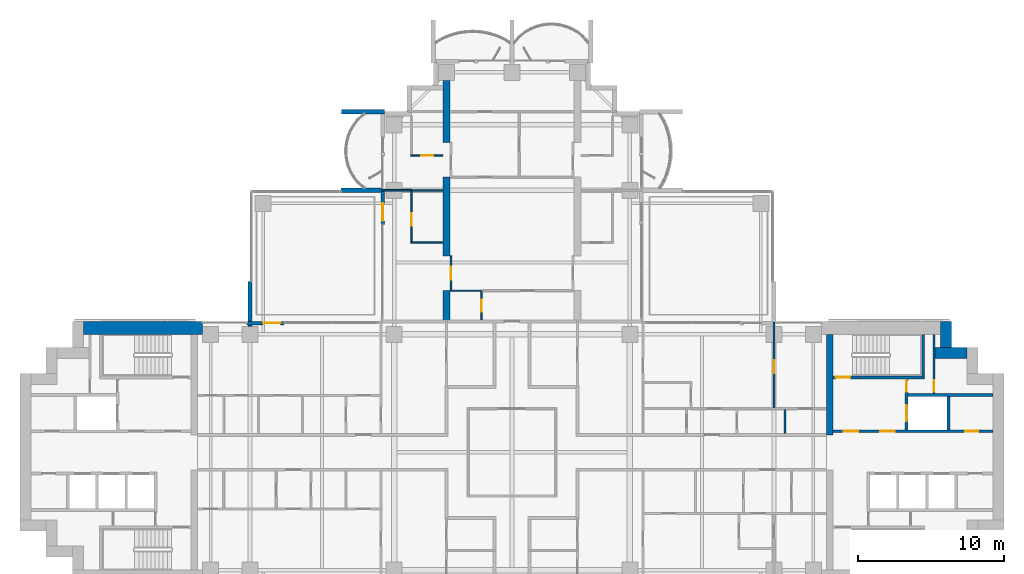
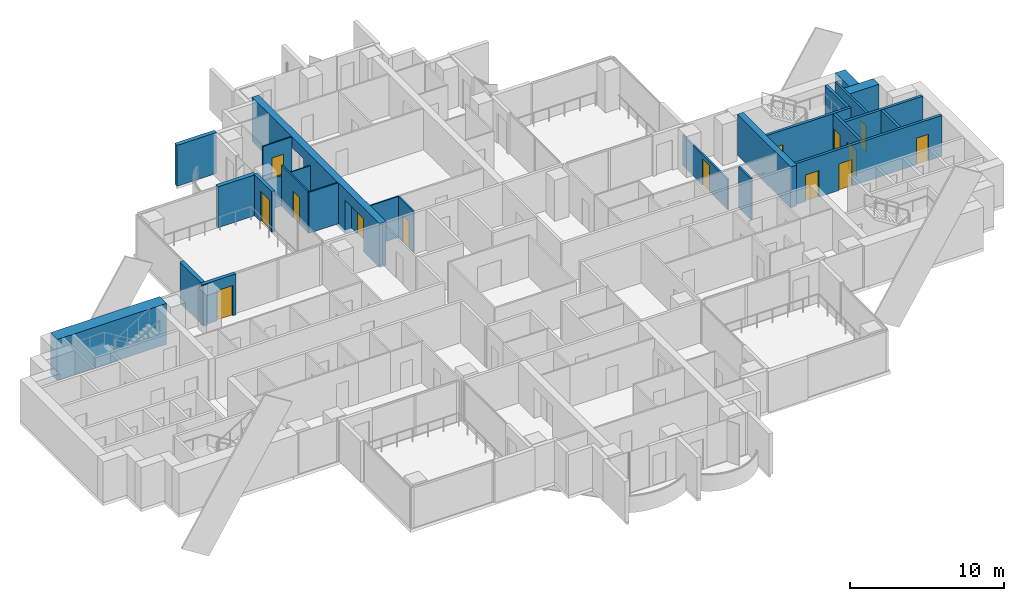
# One storey, part 13 of 19: 27 walls, 14 doors, 14 openings.
"""IFC4 building model written with IfcOpenShell, lengths in metres."""

import ifcopenshell
import ifcopenshell.guid

model = None  # the IFC model being written
_history = None  # IfcOwnerHistory: only IFC2X3 demands one
_inside = {}  # id of a spatial element -> (the spatial element, [elements in it])
_under = {}  # id of a project, library or spatial element -> (it, [spatial elements below it])
_declared = {}  # id of a project -> (the project, [libraries it declares])
_typed = {}  # id of a type object -> (the type object, [elements of that type])
_made_of = {}  # id of a material, layer set ... -> (it, [elements and type objects made of it])


def new_model(schema):
    """Start an empty IFC model of exactly this schema.

    Asked for "IFC4X3", IfcOpenShell would pick the latest addendum, in which some entities
    have other attributes; the version numbers below select the first issue.
    IFC2X3 requires an IfcOwnerHistory on every rooted entity: one is made here for all.
    """
    global model, _history
    if schema == "IFC4X3":
        model = ifcopenshell.file(schema_version=(4, 3, 0, 0))
    else:
        model = ifcopenshell.file(schema=schema)
    _inside.clear()
    _under.clear()
    _declared.clear()
    _typed.clear()
    _made_of.clear()
    _history = None
    if model.schema == "IFC2X3":
        org = make("IfcOrganization", Name="unknown")
        user = make(
            "IfcPersonAndOrganization",
            ThePerson=make("IfcPerson", FamilyName="unknown"),
            TheOrganization=org,
        )
        app = make(
            "IfcApplication",
            ApplicationDeveloper=org,
            Version="unknown",
            ApplicationFullName="unknown",
            ApplicationIdentifier="unknown",
        )
        _history = make(
            "IfcOwnerHistory",
            OwningUser=user,
            OwningApplication=app,
            ChangeAction="ADDED",
            CreationDate=0,
        )
    return model


def make(cls, **values):
    """One entity of the class cls with the attributes given. An attribute that is None is left unset."""
    return model.create_entity(
        cls, **{name: value for name, value in values.items() if value is not None}
    )


def rooted(cls, **values):
    """An entity with a GlobalId (a new one), such as an element, a storey or a relation."""
    return make(cls, GlobalId=ifcopenshell.guid.new(), OwnerHistory=_history, **values)


def si_unit(unit_type, name, prefix=None):
    """IfcSIUnit, for example si_unit("LENGTHUNIT", "METRE", prefix="MILLI")."""
    return make("IfcSIUnit", UnitType=unit_type, Prefix=prefix, Name=name)


def assignment(units):
    """IfcUnitAssignment: the units of a project."""
    return None if units is None else make("IfcUnitAssignment", Units=units)


def point(xyz):
    """IfcCartesianPoint."""
    return None if xyz is None else make("IfcCartesianPoint", Coordinates=xyz)


def direction(xyz):
    """IfcDirection."""
    return None if xyz is None else make("IfcDirection", DirectionRatios=xyz)


def frame(location, z_axis=None, x_axis=None):
    """IfcAxis2Placement3D, a coordinate frame: its origin and axes. An axis left out is left unset."""
    return make(
        "IfcAxis2Placement3D",
        Location=point(location),
        Axis=direction(z_axis),
        RefDirection=direction(x_axis),
    )


def frame_2d(location, x_axis=None):
    """IfcAxis2Placement2D, a coordinate frame in the plane: its origin and x axis."""
    return make(
        "IfcAxis2Placement2D", Location=point(location), RefDirection=direction(x_axis)
    )


def origin():
    """The frame at (0, 0, 0) with its axes left unset."""
    return frame((0.0, 0.0, 0.0))


def place(relative_to, where):
    """IfcLocalPlacement: puts the frame where relative to a parent placement (None: the world)."""
    return make(
        "IfcLocalPlacement", PlacementRelTo=relative_to, RelativePlacement=where
    )


def context(
    kind, dimensions, precision=None, world=None, true_north=None, identifier=None
):
    """IfcGeometricRepresentationContext, for example the 3D "Model" context."""
    return make(
        "IfcGeometricRepresentationContext",
        ContextIdentifier=identifier,
        ContextType=kind,
        CoordinateSpaceDimension=dimensions,
        Precision=precision,
        WorldCoordinateSystem=world,
        TrueNorth=true_north,
    )


def subcontext(parent, identifier, kind, view, scale=None):
    """IfcGeometricRepresentationSubContext, for example "Body" below "Model"."""
    return make(
        "IfcGeometricRepresentationSubContext",
        ContextIdentifier=identifier,
        ContextType=kind,
        ParentContext=parent,
        TargetScale=scale,
        TargetView=view,
    )


def project(units=None, contexts=None):
    """IfcProject with its units and contexts."""
    return rooted(
        "IfcProject",
        Name="project",
        RepresentationContexts=contexts,
        UnitsInContext=assignment(units),
    )


def spatial(cls, under=None, at=None, **own):
    """A site, building, storey or space (cls), placed at a placement, below another one or the project."""
    s = rooted(cls, ObjectPlacement=at, **own)
    if under is not None:
        _under.setdefault(under.id(), (under, []))[1].append(s)
    return s


def polyline(points):
    """IfcPolyline through the points."""
    return make("IfcPolyline", Points=[point(p) for p in points])


def profile(cls, at=None, kind="AREA", **sizes):
    """A parametric profile (cls). Its sizes go by their IFC names, for example OverallWidth=200.0."""
    return make(cls, ProfileType=kind, Position=at, **sizes)


def rectangle(**sizes):
    """IfcRectangleProfileDef."""
    return profile("IfcRectangleProfileDef", **sizes)


def outline(outer, holes=None, kind="AREA"):
    """IfcArbitraryClosedProfileDef: a profile drawn as a closed curve; with holes, ...WithVoids."""
    if holes is None:
        return make("IfcArbitraryClosedProfileDef", ProfileType=kind, OuterCurve=outer)
    return make(
        "IfcArbitraryProfileDefWithVoids",
        ProfileType=kind,
        OuterCurve=outer,
        InnerCurves=holes,
    )


def extrude(swept, where, along, depth):
    """IfcExtrudedAreaSolid: the profile swept, set in the frame where, extruded along a direction by depth."""
    return make(
        "IfcExtrudedAreaSolid",
        SweptArea=swept,
        Position=where,
        ExtrudedDirection=direction(along),
        Depth=depth,
    )


def shape(context_of_items, identifier, shape_type, items):
    """IfcShapeRepresentation: the items that make up one representation, for example the "Body"."""
    return make(
        "IfcShapeRepresentation",
        ContextOfItems=context_of_items,
        RepresentationIdentifier=identifier,
        RepresentationType=shape_type,
        Items=items,
    )


def material(Name=None, Category=None):
    """IfcMaterial."""
    return make("IfcMaterial", Name=Name, Category=Category)


def layer(
    of_material, thickness, ventilated=None, Name=None, Category=None, Priority=None
):
    """IfcMaterialLayer: one layer of a wall or slab, of a material (None: an air gap)."""
    return make(
        "IfcMaterialLayer",
        Material=of_material,
        LayerThickness=thickness,
        IsVentilated=ventilated,
        Name=Name,
        Category=Category,
        Priority=Priority,
    )


def layer_set(layers, Name=None):
    """IfcMaterialLayerSet."""
    return make("IfcMaterialLayerSet", MaterialLayers=layers, LayerSetName=Name)


def material_profile(
    of_material, cross_section, Name=None, Category=None, Priority=None
):
    """IfcMaterialProfile: a cross section and its material."""
    return make(
        "IfcMaterialProfile",
        Name=Name,
        Material=of_material,
        Profile=cross_section,
        Priority=Priority,
        Category=Category,
    )


def profile_set(profiles, Name=None, composite=None):
    """IfcMaterialProfileSet."""
    return make(
        "IfcMaterialProfileSet",
        Name=Name,
        MaterialProfiles=profiles,
        CompositeProfile=composite,
    )


def made_of(thing, what):
    """Note that an element or type object is made of a material, layer set ...; save() writes the relation."""
    if what is not None:
        _made_of.setdefault(what.id(), (what, []))[1].append(thing)
    return thing


def type_object(cls, material=None, **own):
    """A type object (cls), such as IfcWallType, which elements share."""
    return made_of(rooted(cls, **own), material)


def element(
    cls,
    number,
    at=None,
    inside=None,
    cuts=None,
    type_object=None,
    material=None,
    context=None,
    identifier="Body",
    shape_type=None,
    held_by="IfcProductDefinitionShape",
    body=None,
    shapes=None,
    **own,
):
    """One element of the class cls, such as IfcWall. Its Tag is "e" and its number.

    at: its placement. inside: the storey or other place that contains it. cuts: it is an
    opening in that element (IfcRelVoidsElement). A single representation is given by context,
    identifier, shape_type and body (its items); several are given by shapes. held_by: the class
    of the entity that holds the representations. save() writes the other relations.
    """
    e = rooted(cls, Tag="e%d" % number, ObjectPlacement=at, **own)
    if body is not None:
        shapes = [shape(context, identifier, shape_type, body)]
    if shapes is not None:
        e.Representation = make(held_by, Representations=shapes)
    if inside is not None:
        _inside.setdefault(inside.id(), (inside, []))[1].append(e)
    if cuts is not None:
        rooted(
            "IfcRelVoidsElement", RelatingBuildingElement=cuts, RelatedOpeningElement=e
        )
    if type_object is not None:
        _typed.setdefault(type_object.id(), (type_object, []))[1].append(e)
    return made_of(e, material)


def fill(opening, filler):
    """IfcRelFillsElement: the door or window that sits in an opening."""
    return rooted(
        "IfcRelFillsElement",
        RelatingOpeningElement=opening,
        RelatedBuildingElement=filler,
    )


def aggregate(whole, parts):
    """IfcRelAggregates: a whole, such as a stair, and the parts it consists of."""
    return rooted("IfcRelAggregates", RelatingObject=whole, RelatedObjects=parts)


def save(model, path):
    """Write the relations noted so far, then the file.

    IfcRelAggregates (storeys below a building ...), IfcRelContainedInSpatialStructure (elements
    in a storey), IfcRelDefinesByType, IfcRelAssociatesMaterial and IfcRelDeclares: one each for
    every whole, place, type object, material and project.
    """
    for whole, parts in _under.values():
        aggregate(whole, parts)
    for where, things in _inside.values():
        rooted(
            "IfcRelContainedInSpatialStructure",
            RelatedElements=things,
            RelatingStructure=where,
        )
    for kind, things in _typed.values():
        rooted("IfcRelDefinesByType", RelatedObjects=things, RelatingType=kind)
    for what, things in _made_of.values():
        rooted("IfcRelAssociatesMaterial", RelatedObjects=things, RelatingMaterial=what)
    for by, libraries in _declared.values():
        rooted("IfcRelDeclares", RelatingContext=by, RelatedDefinitions=libraries)
    model.write(path)


model = new_model("IFC4")

# Units and contexts
model_context = context("Model", 3, precision=1e-05, world=origin(), true_north=direction((0.0, 1.0)))
body_context = subcontext(model_context, "Body", "Model", "MODEL_VIEW")
ifc_project = project(units=[si_unit("LENGTHUNIT", "METRE"), si_unit("AREAUNIT", "SQUARE_METRE"), si_unit("VOLUMEUNIT", "CUBIC_METRE"), si_unit("PLANEANGLEUNIT", "RADIAN"), si_unit("MASSUNIT", "GRAM", prefix="KILO")], contexts=[model_context])

# Site, building, storey
site_placement = place(None, origin())
site = spatial("IfcSite", under=ifc_project, at=site_placement, CompositionType="ELEMENT")
building_placement = place(site_placement, origin())
building = spatial("IfcBuilding", under=site, at=building_placement, Name="Perihelion Cross Residences", CompositionType="ELEMENT")
storey_placement = place(building_placement, frame((0.0, 0.0, 147.89990234375)))
storey = spatial("IfcBuildingStorey", under=building, at=storey_placement, Name="L36", CompositionType="ELEMENT", Elevation=147.89990234375)

# Wall, opening, door
ifc_material_1 = material(Name="Concrete C30/37, bronze-clad", Category="concrete")
ifc_layer_1 = layer(ifc_material_1, 0.25)
ifc_layer_set_1 = layer_set([ifc_layer_1], Name="Bronze-clad pier wall 250")
wall_type_1 = type_object("IfcWallType", Name="Bronze-clad pier wall 250", PredefinedType="SOLIDWALL", material=ifc_layer_set_1)
wall_1_placement = place(storey_placement, frame((-8.875, 17.93994140625, 0.0), z_axis=(0.0, 0.0, 1.0), x_axis=(0.0, -1.0, 0.0)))
wall_1 = element("IfcWall", 1, at=wall_1_placement, inside=storey, type_object=wall_type_1, Name="Wall FW1 L36 north side west bay 2 pier", PredefinedType="SOLIDWALL", context=body_context, shape_type="SweptSolid", body=[
    extrude(rectangle(XDim=2.2900390625, YDim=0.25, at=frame_2d((1.14501953125, 0.0))), origin(), (0.0, 0.0, 1.0), 3.25),
])
opening_1_placement = place(wall_1_placement, frame((0.840087890625, 0.0, 0.0)))
opening_1 = element("IfcOpeningElement", 2, at=opening_1_placement, cuts=wall_1, Name="Opening L36.E07", PredefinedType="OPENING", context=body_context, shape_type="SweptSolid", body=[
    extrude(rectangle(XDim=1.199951171875, YDim=2.39990234375, at=frame_2d((0.60009765625, 1.199951171875))), frame((0.0, 0.135009765625, 0.0), z_axis=(0.0, -1.0, 0.0), x_axis=(1.0, 0.0, 0.0)), (0.0, 0.0, 1.0), 0.27001953125),
])
ifc_material_2 = material(Name="Bronze anodised aluminium, glazed", Category="aluminium")
door_type_1 = type_object("IfcDoorType", Name="Balcony door 1200 x 2400", OperationType="NOTDEFINED", PredefinedType="DOOR", material=ifc_material_2)
door_1_placement = place(opening_1_placement, origin())
door_1 = element("IfcDoor", 3, at=door_1_placement, inside=storey, type_object=door_type_1, Name="Door L36.E07 north side west bay 2", OperationType="SINGLE_SWING_RIGHT", OverallHeight=2.39990234375, OverallWidth=1.199951171875, PredefinedType="DOOR", context=body_context, shape_type="SweptSolid", body=[
    extrude(rectangle(XDim=1.199951171875, YDim=2.39990234375, at=frame_2d((0.60009765625, 1.199951171875))), frame((0.0, 0.02490234375, 0.0), z_axis=(0.0, -1.0, 0.0), x_axis=(1.0, 0.0, 0.0)), (0.0, 0.0, 1.0), 0.050048828125),
])
fill(opening_1, door_1)

wall_2_placement = place(storey_placement, frame((-15.64990234375, 8.875, 0.0), z_axis=(0.0, 0.0, 1.0), x_axis=(-1.0, 0.0, 0.0)))
wall_2 = element("IfcWall", 4, at=wall_2_placement, inside=storey, type_object=wall_type_1, Name="Wall FW1 L36 west side north bay 1 pier", PredefinedType="SOLIDWALL", context=body_context, shape_type="SweptSolid", body=[
    extrude(rectangle(XDim=2.550048828125, YDim=0.25, at=frame_2d((1.27490234375, 0.0))), origin(), (0.0, 0.0, 1.0), 3.25),
])
opening_2_placement = place(wall_2_placement, frame((0.25, 0.0, 0.0)))
opening_2 = element("IfcOpeningElement", 5, at=opening_2_placement, cuts=wall_2, Name="Opening L36.E08", PredefinedType="OPENING", context=body_context, shape_type="SweptSolid", body=[
    extrude(rectangle(XDim=1.199951171875, YDim=2.39990234375, at=frame_2d((0.60009765625, 1.199951171875))), frame((0.0, 0.135009765625, 0.0), z_axis=(0.0, -1.0, 0.0), x_axis=(1.0, 0.0, 0.0)), (0.0, 0.0, 1.0), 0.27001953125),
])
door_2_placement = place(opening_2_placement, origin())
door_2 = element("IfcDoor", 6, at=door_2_placement, inside=storey, type_object=door_type_1, Name="Door L36.E08 west side north bay 1", OperationType="SINGLE_SWING_LEFT", OverallHeight=2.39990234375, OverallWidth=1.199951171875, PredefinedType="DOOR", context=body_context, shape_type="SweptSolid", body=[
    extrude(rectangle(XDim=1.199951171875, YDim=2.39990234375, at=frame_2d((0.60009765625, 1.199951171875))), frame((0.0, 0.02490234375, 0.0), z_axis=(0.0, -1.0, 0.0), x_axis=(1.0, 0.0, 0.0)), (0.0, 0.0, 1.0), 0.050048828125),
])
fill(opening_2, door_2)

# Walls
ifc_material_3 = material(Name="Concrete C60/75", Category="concrete")
ifc_layer_2 = layer(ifc_material_3, 0.449951171875)
ifc_layer_set_2 = layer_set([ifc_layer_2], Name="Core wall, inner 450")
wall_type_2 = type_object("IfcWallType", Name="Core wall, inner 450", PredefinedType="SHEAR", material=ifc_layer_set_2)
wall_3_placement = place(storey_placement, frame((21.824951171875, 1.199951171875, 0.0), z_axis=(0.0, 0.0, 1.0), x_axis=(0.0, 1.0, 0.0)))
element("IfcWall", 7, at=wall_3_placement, inside=storey, type_object=wall_type_2, Name="East core core wall, inner", PredefinedType="SHEAR", context=body_context, shape_type="SweptSolid", body=[
    extrude(rectangle(XDim=6.900146484375, YDim=0.449951171875, at=frame_2d((3.4501953125, 0.0))), origin(), (0.0, 0.0, 1.0), 3.25),
])
ifc_material_4 = material(Name="Concrete C60/75", Category="concrete")
ifc_layer_3 = layer(ifc_material_4, 0.75)
ifc_layer_set_3 = layer_set([ifc_layer_3], Name="Core wall, outer 750")
wall_type_3 = type_object("IfcWallType", Name="Core wall, outer 750", PredefinedType="SHEAR", material=ifc_layer_set_3)
wall_4_placement = place(storey_placement, frame((29.074951171875, 6.824951171875, 0.0), z_axis=(0.0, 0.0, 1.0), x_axis=(1.0, 0.0, 0.0)))
element("IfcWall", 8, at=wall_4_placement, inside=storey, type_object=wall_type_3, Name="East core core wall, outer", PredefinedType="SHEAR", context=body_context, shape_type="SweptSolid", body=[
    extrude(rectangle(XDim=2.175048828125, YDim=0.75, at=frame_2d((1.08740234375, 0.0))), origin(), (0.0, 0.0, 1.0), 3.25),
])
wall_5_placement = place(storey_placement, frame((29.824951171875, 7.199951171875, 0.0), z_axis=(0.0, 0.0, 1.0), x_axis=(0.0, 1.0, 0.0)))
element("IfcWall", 9, at=wall_5_placement, inside=storey, type_object=wall_type_3, Name="East core core wall, outer", PredefinedType="SHEAR", context=body_context, shape_type="SweptSolid", body=[
    extrude(rectangle(XDim=1.800048828125, YDim=0.75, at=frame_2d((0.89990234375, 0.0))), origin(), (0.0, 0.0, 1.0), 3.25),
])
ifc_material_5 = material(Name="Concrete C60/75", Category="concrete")
ifc_layer_4 = layer(ifc_material_5, 0.89990234375)
ifc_layer_set_4 = layer_set([ifc_layer_4], Name="Core wall, outer 900")
wall_type_4 = type_object("IfcWallType", Name="Core wall, outer 900", PredefinedType="SHEAR", material=ifc_layer_set_4)
wall_6_placement = place(storey_placement, frame((-29.449951171875, 8.550048828125, 0.0), z_axis=(0.0, 0.0, 1.0), x_axis=(1.0, 0.0, 0.0)))
element("IfcWall", 10, at=wall_6_placement, inside=storey, type_object=wall_type_4, Name="West core core wall, outer", PredefinedType="SHEAR", context=body_context, shape_type="SweptSolid", body=[
    extrude(rectangle(XDim=8.199951171875, YDim=0.89990234375, at=frame_2d((4.10009765625, 0.0))), origin(), (0.0, 0.0, 1.0), 3.25),
])

# Wall, opening, door
ifc_material_6 = material(Name="Plasterboard partition")
ifc_layer_5 = layer(ifc_material_6, 0.1201171875)
ifc_layer_set_5 = layer_set([ifc_layer_5], Name="Infill panel 120")
wall_type_5 = type_object("IfcWallType", Name="Infill panel 120", PredefinedType="PARTITIONING", material=ifc_layer_set_5)
wall_7_placement = place(storey_placement, frame((-4.18994140625, 11.10009765625, 0.0), z_axis=(0.0, 0.0, 1.0), x_axis=(0.0, 1.0, 0.0)))
wall_7 = element("IfcWall", 11, at=wall_7_placement, inside=storey, type_object=wall_type_5, Name="Partition L36 WI03", PredefinedType="PARTITIONING", context=body_context, shape_type="SweptSolid", body=[
    extrude(rectangle(XDim=2.39990234375, YDim=0.1201171875, at=frame_2d((1.199951171875, 0.0))), origin(), (0.0, 0.0, 1.0), 2.400146484375),
])
opening_3_placement = place(wall_7_placement, frame((0.75, 0.0, 0.0)))
opening_3 = element("IfcOpeningElement", 12, at=opening_3_placement, cuts=wall_7, Name="Opening L36.A56", PredefinedType="OPENING", context=body_context, shape_type="SweptSolid", body=[
    extrude(rectangle(XDim=0.89990234375, YDim=2.10009765625, at=frame_2d((0.449951171875, 1.050048828125))), frame((0.0, 0.070068359375, 0.0), z_axis=(0.0, -1.0, 0.0), x_axis=(1.0, 0.0, 0.0)), (0.0, 0.0, 1.0), 0.14013671875),
])
ifc_material_7 = material(Name="Timber door leaf", Category="wood")
door_type_2 = type_object("IfcDoorType", Name="Interior room door 900 x 2100", OperationType="SINGLE_SWING_LEFT", PredefinedType="DOOR", material=ifc_material_7)
door_3_placement = place(opening_3_placement, origin())
door_3 = element("IfcDoor", 13, at=door_3_placement, inside=storey, type_object=door_type_2, Name="Door L36.A56", OperationType="SINGLE_SWING_LEFT", OverallHeight=2.10009765625, OverallWidth=0.89990234375, PredefinedType="DOOR", context=body_context, shape_type="SweptSolid", body=[
    extrude(rectangle(XDim=0.89990234375, YDim=2.10009765625, at=frame_2d((0.449951171875, 1.050048828125))), frame((0.0, 0.02490234375, 0.0), z_axis=(0.0, -1.0, 0.0), x_axis=(1.0, 0.0, 0.0)), (0.0, 0.0, 1.0), 0.050048828125),
])
fill(opening_3, door_3)

# Wall
ifc_material_8 = material(Name="Plasterboard partition")
ifc_layer_6 = layer(ifc_material_8, 0.1201171875)
ifc_layer_set_6 = layer_set([ifc_layer_6], Name="Partition wall 120")
wall_type_6 = type_object("IfcWallType", Name="Partition wall 120", PredefinedType="PARTITIONING", material=ifc_layer_set_6)
wall_8_placement = place(storey_placement, frame((18.75, 2.93994140625, 0.0), z_axis=(0.0, 0.0, 1.0), x_axis=(0.0, -1.0, 0.0)))
element("IfcWall", 14, at=wall_8_placement, inside=storey, type_object=wall_type_6, Name="Partition L36 W028", PredefinedType="PARTITIONING", context=body_context, shape_type="SweptSolid", body=[
    extrude(rectangle(XDim=1.639892578125, YDim=0.1201171875, at=frame_2d((0.81982421875, 0.0))), origin(), (0.0, 0.0, 1.0), 3.25),
])

# Wall, opening, door
wall_9_placement = place(storey_placement, frame((18.0, 8.919921875, 0.0), z_axis=(0.0, 0.0, 1.0), x_axis=(0.0, -1.0, 0.0)))
wall_9 = element("IfcWall", 15, at=wall_9_placement, inside=storey, type_object=wall_type_6, Name="Partition L36 W031", PredefinedType="PARTITIONING", context=body_context, shape_type="SweptSolid", body=[
    extrude(rectangle(XDim=5.85986328125, YDim=0.1201171875, at=frame_2d((2.929931640625, 0.0))), origin(), (0.0, 0.0, 1.0), 2.4140625),
])
opening_4_placement = place(wall_9_placement, frame((2.590087890625, 0.0, 0.0)))
opening_4 = element("IfcOpeningElement", 16, at=opening_4_placement, cuts=wall_9, Name="Opening L36.A02", PredefinedType="OPENING", context=body_context, shape_type="SweptSolid", body=[
    extrude(rectangle(XDim=0.89990234375, YDim=2.10009765625, at=frame_2d((0.449951171875, 1.050048828125))), frame((0.0, 0.070068359375, 0.0), z_axis=(0.0, -1.0, 0.0), x_axis=(1.0, 0.0, 0.0)), (0.0, 0.0, 1.0), 0.14013671875),
])
door_4_placement = place(opening_4_placement, origin())
door_4 = element("IfcDoor", 17, at=door_4_placement, inside=storey, type_object=door_type_2, Name="Door L36.A02", OperationType="SINGLE_SWING_LEFT", OverallHeight=2.10009765625, OverallWidth=0.89990234375, PredefinedType="DOOR", context=body_context, shape_type="SweptSolid", body=[
    extrude(rectangle(XDim=0.89990234375, YDim=2.10009765625, at=frame_2d((0.449951171875, 1.050048828125))), frame((0.0, 0.02490234375, 0.0), z_axis=(0.0, -1.0, 0.0), x_axis=(1.0, 0.0, 0.0)), (0.0, 0.0, 1.0), 0.050048828125),
])
fill(opening_4, door_4)

# Walls
wall_10_placement = place(storey_placement, frame((-8.919921875, 18.0, 0.0), z_axis=(0.0, 0.0, 1.0), x_axis=(1.0, 0.0, 0.0)))
element("IfcWall", 18, at=wall_10_placement, inside=storey, type_object=wall_type_6, Name="Partition L36 W082", PredefinedType="PARTITIONING", context=body_context, shape_type="SweptSolid", body=[
    extrude(rectangle(XDim=2.02001953125, YDim=0.1201171875, at=frame_2d((1.010009765625, 0.0))), origin(), (0.0, 0.0, 1.0), 2.4140625),
])
ifc_material_9 = material(Name="Precast concrete C50/60", Category="concrete")
ifc_layer_7 = layer(ifc_material_9, 0.300048828125)
ifc_layer_set_7 = layer_set([ifc_layer_7], Name="Precast concrete C50/60 blade wall 300")
wall_type_7 = type_object("IfcWallType", Name="Precast concrete C50/60 blade wall 300", PredefinedType="SOLIDWALL", material=ifc_layer_set_7)
wall_11_placement = place(storey_placement, frame((-18.0, 8.64990234375, 0.0), z_axis=(0.0, 0.0, 1.0), x_axis=(0.0, 1.0, 0.0)))
element("IfcWall", 19, at=wall_11_placement, inside=storey, type_object=wall_type_7, Name="Wall BL1 L36 no. 2", PredefinedType="SOLIDWALL", context=body_context, shape_type="SweptSolid", body=[
    extrude(rectangle(XDim=3.090087890625, YDim=0.300048828125, at=frame_2d((1.544921875, 0.0))), origin(), (0.0, 0.0, 1.0), 3.25),
])
wall_12_placement = place(storey_placement, frame((-8.919921875, 18.0, 0.0), z_axis=(0.0, 0.0, 1.0), x_axis=(-1.0, 0.0, 0.0)))
element("IfcWall", 20, at=wall_12_placement, inside=storey, type_object=wall_type_7, Name="Wall BL1 L36 no. 6", PredefinedType="SOLIDWALL", context=body_context, shape_type="SweptSolid", body=[
    extrude(rectangle(XDim=2.820068359375, YDim=0.300048828125, at=frame_2d((1.41015625, 0.0))), origin(), (0.0, 0.0, 1.0), 3.25),
])
wall_13_placement = place(storey_placement, frame((-8.75, 23.39990234375, 0.0), z_axis=(0.0, 0.0, 1.0), x_axis=(-1.0, 0.0, 0.0)))
element("IfcWall", 21, at=wall_13_placement, inside=storey, type_object=wall_type_7, Name="Wall BL1 L36 no. 7", PredefinedType="SOLIDWALL", context=body_context, shape_type="SweptSolid", body=[
    extrude(rectangle(XDim=2.949951171875, YDim=0.300048828125, at=frame_2d((1.47509765625, 0.0))), origin(), (0.0, 0.0, 1.0), 3.25),
])

# Wall, opening, door
ifc_material_10 = material(Name="Fire-rated board on steel stud", Category="steel")
ifc_layer_8 = layer(ifc_material_10, 0.14990234375)
ifc_layer_set_8 = layer_set([ifc_layer_8], Name="Riser wall 150")
wall_type_8 = type_object("IfcWallType", Name="Riser wall 150", PredefinedType="PARTITIONING", material=ifc_layer_set_8)
wall_14_placement = place(storey_placement, frame((29.0, 4.050048828125, 0.0), z_axis=(0.0, 0.0, 1.0), x_axis=(0.0, 1.0, 0.0)))
wall_14 = element("IfcWall", 22, at=wall_14_placement, inside=storey, type_object=wall_type_8, Name="East core riser wall", PredefinedType="PARTITIONING", context=body_context, shape_type="SweptSolid", body=[
    extrude(rectangle(XDim=4.050048828125, YDim=0.14990234375, at=frame_2d((2.02490234375, 0.0))), origin(), (0.0, 0.0, 1.0), 3.25),
])
opening_5_placement = place(wall_14_placement, frame((0.10009765625, 0.0, 0.0)))
opening_5 = element("IfcOpeningElement", 23, at=opening_5_placement, cuts=wall_14, Name="Opening L36.C12", PredefinedType="OPENING", context=body_context, shape_type="SweptSolid", body=[
    extrude(rectangle(XDim=0.800048828125, YDim=2.10009765625, at=frame_2d((0.39990234375, 1.050048828125))), frame((0.0, 0.0849609375, 0.0), z_axis=(0.0, -1.0, 0.0), x_axis=(1.0, 0.0, 0.0)), (0.0, 0.0, 1.0), 0.169921875),
])
ifc_material_11 = material(Name="Steel, powder coated", Category="steel")
door_type_3 = type_object("IfcDoorType", Name="Riser door 800", OperationType="SINGLE_SWING_LEFT", PredefinedType="DOOR", material=ifc_material_11)
door_5_placement = place(opening_5_placement, origin())
door_5 = element("IfcDoor", 24, at=door_5_placement, inside=storey, type_object=door_type_3, Name="East core riser door", OperationType="SINGLE_SWING_LEFT", OverallHeight=2.10009765625, OverallWidth=0.800048828125, PredefinedType="DOOR", context=body_context, shape_type="SweptSolid", body=[
    extrude(rectangle(XDim=0.800048828125, YDim=2.10009765625, at=frame_2d((0.39990234375, 1.050048828125))), frame((0.0, 0.02490234375, 0.0), z_axis=(0.0, -1.0, 0.0), x_axis=(1.0, 0.0, 0.0)), (0.0, 0.0, 1.0), 0.050048828125),
])
fill(opening_5, door_5)

# Wall, openings, doors
ifc_material_12 = material(Name="Concrete C50/60", Category="concrete")
ifc_layer_9 = layer(ifc_material_12, 0.199951171875)
ifc_layer_set_9 = layer_set([ifc_layer_9], Name="Shaft wall 200")
wall_type_9 = type_object("IfcWallType", Name="Shaft wall 200", PredefinedType="SOLIDWALL", material=ifc_layer_set_9)
wall_15_placement = place(storey_placement, frame((22.050048828125, 1.449951171875, 0.0), z_axis=(0.0, 0.0, 1.0), x_axis=(1.0, 0.0, 0.0)))
wall_15 = element("IfcWall", 25, at=wall_15_placement, inside=storey, type_object=wall_type_9, Name="East core shaft wall", PredefinedType="SOLIDWALL", context=body_context, shape_type="SweptSolid", body=[
    extrude(rectangle(XDim=11.0, YDim=0.199951171875, at=frame_2d((5.5, 0.0))), origin(), (0.0, 0.0, 1.0), 3.25),
])
opening_6_placement = place(wall_15_placement, frame((0.75, 0.0, 0.0)))
opening_6 = element("IfcOpeningElement", 26, at=opening_6_placement, cuts=wall_15, Name="Opening L36.C07", PredefinedType="OPENING", context=body_context, shape_type="SweptSolid", body=[
    extrude(rectangle(XDim=1.0, YDim=2.10009765625, at=frame_2d((0.5, 1.050048828125))), frame((0.0, 0.10986328125, 0.0), z_axis=(0.0, -1.0, 0.0), x_axis=(1.0, 0.0, 0.0)), (0.0, 0.0, 1.0), 0.219970703125),
])
opening_7_placement = place(wall_15_placement, frame((3.25, 0.0, 0.0)))
opening_7 = element("IfcOpeningElement", 27, at=opening_7_placement, cuts=wall_15, Name="Opening L36.C09", PredefinedType="OPENING", context=body_context, shape_type="SweptSolid", body=[
    extrude(rectangle(XDim=1.0, YDim=2.10009765625, at=frame_2d((0.5, 1.050048828125))), frame((0.0, 0.10986328125, 0.0), z_axis=(0.0, -1.0, 0.0), x_axis=(1.0, 0.0, 0.0)), (0.0, 0.0, 1.0), 0.219970703125),
])
opening_8_placement = place(wall_15_placement, frame((9.074951171875, 0.0, 0.0)))
opening_8 = element("IfcOpeningElement", 28, at=opening_8_placement, cuts=wall_15, Name="Opening L36.C13", PredefinedType="OPENING", context=body_context, shape_type="SweptSolid", body=[
    extrude(rectangle(XDim=0.89990234375, YDim=2.10009765625, at=frame_2d((0.449951171875, 1.050048828125))), frame((0.0, 0.10986328125, 0.0), z_axis=(0.0, -1.0, 0.0), x_axis=(1.0, 0.0, 0.0)), (0.0, 0.0, 1.0), 0.219970703125),
])
ifc_material_13 = material(Name="Steel, powder coated", Category="steel")
door_type_4 = type_object("IfcDoorType", Name="Lobby door 1000", OperationType="SINGLE_SWING_LEFT", PredefinedType="DOOR", material=ifc_material_13)
door_6_placement = place(opening_6_placement, origin())
door_6 = element("IfcDoor", 29, at=door_6_placement, inside=storey, type_object=door_type_4, Name="East core firefighting lobby door", OperationType="SINGLE_SWING_LEFT", OverallHeight=2.10009765625, OverallWidth=1.0, PredefinedType="DOOR", context=body_context, shape_type="SweptSolid", body=[
    extrude(rectangle(XDim=1.0, YDim=2.10009765625, at=frame_2d((0.5, 1.050048828125))), frame((0.0, 0.02490234375, 0.0), z_axis=(0.0, -1.0, 0.0), x_axis=(1.0, 0.0, 0.0)), (0.0, 0.0, 1.0), 0.050048828125),
])
fill(opening_6, door_6)
door_7_placement = place(opening_7_placement, origin())
door_7 = element("IfcDoor", 30, at=door_7_placement, inside=storey, type_object=door_type_4, Name="East core firefighting lobby door", OperationType="SINGLE_SWING_LEFT", OverallHeight=2.10009765625, OverallWidth=1.0, PredefinedType="DOOR", context=body_context, shape_type="SweptSolid", body=[
    extrude(rectangle(XDim=1.0, YDim=2.10009765625, at=frame_2d((0.5, 1.050048828125))), frame((0.0, 0.02490234375, 0.0), z_axis=(0.0, -1.0, 0.0), x_axis=(1.0, 0.0, 0.0)), (0.0, 0.0, 1.0), 0.050048828125),
])
fill(opening_7, door_7)
ifc_material_14 = material(Name="Steel, powder coated", Category="steel")
door_type_5 = type_object("IfcDoorType", Name="Service room door 900", OperationType="SINGLE_SWING_LEFT", PredefinedType="DOOR", material=ifc_material_14)
door_8_placement = place(opening_8_placement, origin())
door_8 = element("IfcDoor", 31, at=door_8_placement, inside=storey, type_object=door_type_5, Name="East core service room door", OperationType="SINGLE_SWING_LEFT", OverallHeight=2.10009765625, OverallWidth=0.89990234375, PredefinedType="DOOR", context=body_context, shape_type="SweptSolid", body=[
    extrude(rectangle(XDim=0.89990234375, YDim=2.10009765625, at=frame_2d((0.449951171875, 1.050048828125))), frame((0.0, 0.02490234375, 0.0), z_axis=(0.0, -1.0, 0.0), x_axis=(1.0, 0.0, 0.0)), (0.0, 0.0, 1.0), 0.050048828125),
])
fill(opening_8, door_8)

# Wall
wall_16_placement = place(storey_placement, frame((27.199951171875, 3.949951171875, 0.0), z_axis=(0.0, 0.0, 1.0), x_axis=(1.0, 0.0, 0.0)))
element("IfcWall", 32, at=wall_16_placement, inside=storey, type_object=wall_type_9, Name="East core shaft wall", PredefinedType="SOLIDWALL", context=body_context, shape_type="SweptSolid", body=[
    extrude(rectangle(XDim=5.85009765625, YDim=0.199951171875, at=frame_2d((2.925048828125, 0.0))), origin(), (0.0, 0.0, 1.0), 3.25),
])

# Wall, openings, doors
wall_17_placement = place(storey_placement, frame((27.10009765625, 1.550048828125, 0.0), z_axis=(0.0, 0.0, 1.0), x_axis=(0.0, 1.0, 0.0)))
wall_17 = element("IfcWall", 33, at=wall_17_placement, inside=storey, type_object=wall_type_9, Name="East core shaft wall", PredefinedType="SOLIDWALL", context=body_context, shape_type="SweptSolid", body=[
    extrude(rectangle(XDim=3.5, YDim=0.199951171875, at=frame_2d((1.75, 0.0))), origin(), (0.0, 0.0, 1.0), 3.25),
])
opening_9_placement = place(wall_17_placement, frame((0.60009765625, 0.0, 0.0)))
opening_9 = element("IfcOpeningElement", 34, at=opening_9_placement, cuts=wall_17, Name="Opening L36.C02", PredefinedType="OPENING", context=body_context, shape_type="SweptSolid", body=[
    extrude(rectangle(XDim=1.10009765625, YDim=2.10009765625, at=frame_2d((0.550048828125, 1.050048828125))), frame((0.0, 0.10986328125, 0.0), z_axis=(0.0, -1.0, 0.0), x_axis=(1.0, 0.0, 0.0)), (0.0, 0.0, 1.0), 0.219970703125),
])
opening_10_placement = place(wall_17_placement, frame((2.60009765625, 0.0, 0.0)))
opening_10 = element("IfcOpeningElement", 35, at=opening_10_placement, cuts=wall_17, Name="Opening L36.C10", PredefinedType="OPENING", context=body_context, shape_type="SweptSolid", body=[
    extrude(rectangle(XDim=0.800048828125, YDim=2.10009765625, at=frame_2d((0.39990234375, 1.050048828125))), frame((0.0, 0.10986328125, 0.0), z_axis=(0.0, -1.0, 0.0), x_axis=(1.0, 0.0, 0.0)), (0.0, 0.0, 1.0), 0.219970703125),
])
ifc_material_15 = material(Name="Stainless steel", Category="steel")
door_type_6 = type_object("IfcDoorType", Name="Landing door, firefighting lift 1100", OperationType="DOUBLE_DOOR_SLIDING", PredefinedType="DOOR", material=ifc_material_15)
door_9_placement = place(opening_9_placement, origin())
door_9 = element("IfcDoor", 36, at=door_9_placement, inside=storey, type_object=door_type_6, Name="Landing door, East core firefighting and service lift", OperationType="DOUBLE_DOOR_SLIDING", OverallHeight=2.10009765625, OverallWidth=1.10009765625, PredefinedType="DOOR", context=body_context, shape_type="SweptSolid", body=[
    extrude(rectangle(XDim=1.10009765625, YDim=2.10009765625, at=frame_2d((0.550048828125, 1.050048828125))), frame((0.0, 0.02490234375, 0.0), z_axis=(0.0, -1.0, 0.0), x_axis=(1.0, 0.0, 0.0)), (0.0, 0.0, 1.0), 0.050048828125),
])
fill(opening_9, door_9)
door_10_placement = place(opening_10_placement, origin())
door_10 = element("IfcDoor", 37, at=door_10_placement, inside=storey, type_object=door_type_3, Name="East core riser door", OperationType="SINGLE_SWING_LEFT", OverallHeight=2.10009765625, OverallWidth=0.800048828125, PredefinedType="DOOR", context=body_context, shape_type="SweptSolid", body=[
    extrude(rectangle(XDim=0.800048828125, YDim=2.10009765625, at=frame_2d((0.39990234375, 1.050048828125))), frame((0.0, 0.02490234375, 0.0), z_axis=(0.0, -1.0, 0.0), x_axis=(1.0, 0.0, 0.0)), (0.0, 0.0, 1.0), 0.050048828125),
])
fill(opening_10, door_10)

# Wall
wall_18_placement = place(storey_placement, frame((30.0, 1.550048828125, 0.0), z_axis=(0.0, 0.0, 1.0), x_axis=(0.0, 1.0, 0.0)))
element("IfcWall", 38, at=wall_18_placement, inside=storey, type_object=wall_type_9, Name="East core shaft wall", PredefinedType="SOLIDWALL", context=body_context, shape_type="SweptSolid", body=[
    extrude(rectangle(XDim=2.300048828125, YDim=0.199951171875, at=frame_2d((1.14990234375, 0.0))), origin(), (0.0, 0.0, 1.0), 3.25),
])

# Wall, opening, door
ifc_material_16 = material(Name="Concrete C50/60", Category="concrete")
ifc_layer_10 = layer(ifc_material_16, 0.199951171875)
ifc_layer_set_10 = layer_set([ifc_layer_10], Name="Stair wall 200")
wall_type_10 = type_object("IfcWallType", Name="Stair wall 200", PredefinedType="SOLIDWALL", material=ifc_layer_set_10)
wall_19_placement = place(storey_placement, frame((22.050048828125, 5.14990234375, 0.0), z_axis=(0.0, 0.0, 1.0), x_axis=(1.0, 0.0, 0.0)))
wall_19 = element("IfcWall", 39, at=wall_19_placement, inside=storey, type_object=wall_type_10, Name="East core stair wall", PredefinedType="SOLIDWALL", context=body_context, shape_type="SweptSolid", body=[
    extrude(rectangle(XDim=6.300048828125, YDim=0.199951171875, at=frame_2d((3.14990234375, 0.0))), origin(), (0.0, 0.0, 1.0), 3.25),
])
opening_11_placement = place(wall_19_placement, frame((0.199951171875, 0.0, 0.0)))
opening_11 = element("IfcOpeningElement", 40, at=opening_11_placement, cuts=wall_19, Name="Opening L36.C06", PredefinedType="OPENING", context=body_context, shape_type="SweptSolid", body=[
    extrude(rectangle(XDim=1.0, YDim=2.10009765625, at=frame_2d((0.5, 1.050048828125))), frame((0.0, 0.10986328125, 0.0), z_axis=(0.0, -1.0, 0.0), x_axis=(1.0, 0.0, 0.0)), (0.0, 0.0, 1.0), 0.219970703125),
])
ifc_material_17 = material(Name="Steel, powder coated", Category="steel")
door_type_7 = type_object("IfcDoorType", Name="Stair door 1000", OperationType="SINGLE_SWING_LEFT", PredefinedType="DOOR", material=ifc_material_17)
door_11_placement = place(opening_11_placement, origin())
door_11 = element("IfcDoor", 41, at=door_11_placement, inside=storey, type_object=door_type_7, Name="East core stair door", OperationType="SINGLE_SWING_LEFT", OverallHeight=2.10009765625, OverallWidth=1.0, PredefinedType="DOOR", context=body_context, shape_type="SweptSolid", body=[
    extrude(rectangle(XDim=1.0, YDim=2.10009765625, at=frame_2d((0.5, 1.050048828125))), frame((0.0, 0.02490234375, 0.0), z_axis=(0.0, -1.0, 0.0), x_axis=(1.0, 0.0, 0.0)), (0.0, 0.0, 1.0), 0.050048828125),
])
fill(opening_11, door_11)

# Walls
wall_20_placement = place(storey_placement, frame((28.25, 5.25, 0.0), z_axis=(0.0, 0.0, 1.0), x_axis=(0.0, 1.0, 0.0)))
element("IfcWall", 42, at=wall_20_placement, inside=storey, type_object=wall_type_10, Name="East core stair wall", PredefinedType="SOLIDWALL", context=body_context, shape_type="SweptSolid", body=[
    extrude(rectangle(XDim=2.85009765625, YDim=0.199951171875, at=frame_2d((1.425048828125, 0.0))), origin(), (0.0, 0.0, 1.0), 3.25),
])
ifc_material_18 = material(Name="Concrete C60/75", Category="concrete")
ifc_material_profile = material_profile(ifc_material_18, outline(polyline([(0.0, 0.0), (2.10009765625, 0.0), (2.10009765625, 2.64990234375), (4.5, 2.64990234375), (4.5, 0.0), (9.89990234375, 0.0), (9.89990234375, 2.64990234375), (12.300048828125, 2.64990234375), (12.300048828125, 0.0), (16.550048828125, 0.0), (16.550048828125, 3.5), (0.0, 3.5), (0.0, 0.0)])), Name="Tip spine wall")
ifc_profile_set = profile_set([ifc_material_profile], Name="Concrete C60/75")
wall_type_11 = type_object("IfcWallType", Name="Tip spine wall 500 with 2 door openings 16550 long 3500 high concrete C60/75", PredefinedType="SHEAR", material=ifc_profile_set)
wall_21_placement = place(storey_placement, frame((-4.75, 9.0, -0.25), z_axis=(1.0, 0.0, 0.0), x_axis=(0.0, 1.0, 0.0)))
element("IfcWall", 43, at=wall_21_placement, inside=storey, type_object=wall_type_11, Name="Shear wall SW34 L36 north west", PredefinedType="SHEAR", context=body_context, shape_type="SweptSolid", body=[
    extrude(outline(polyline([(0.0, 0.0), (2.10009765625, 0.0), (2.10009765625, 2.64990234375), (4.5, 2.64990234375), (4.5, 0.0), (9.89990234375, 0.0), (9.89990234375, 2.64990234375), (12.300048828125, 2.64990234375), (12.300048828125, 0.0), (16.550048828125, 0.0), (16.550048828125, 3.5), (0.0, 3.5), (0.0, 0.0)])), origin(), (0.0, 0.0, 1.0), 0.5),
])

# Wall, opening, door
ifc_material_19 = material(Name="Plasterboard partition")
ifc_layer_11 = layer(ifc_material_19, 0.10009765625)
ifc_layer_set_11 = layer_set([ifc_layer_11], Name="Wet room wall 100")
wall_type_12 = type_object("IfcWallType", Name="Wet room wall 100", PredefinedType="PARTITIONING", material=ifc_layer_set_11)
wall_22_placement = place(storey_placement, frame((-2.10009765625, 9.10009765625, 0.0), z_axis=(0.0, 0.0, 1.0), x_axis=(0.0, 1.0, 0.0)))
wall_22 = element("IfcWall", 44, at=wall_22_placement, inside=storey, type_object=wall_type_12, Name="Partition L36 W067", PredefinedType="PARTITIONING", context=body_context, shape_type="SweptSolid", body=[
    extrude(rectangle(XDim=1.93994140625, YDim=0.10009765625, at=frame_2d((0.969970703125, 0.0))), origin(), (0.0, 0.0, 1.0), 3.25),
])
opening_12_placement = place(wall_22_placement, frame((0.544921875, 0.0, 0.0)))
opening_12 = element("IfcOpeningElement", 45, at=opening_12_placement, cuts=wall_22, Name="Opening L36.A35", PredefinedType="OPENING", context=body_context, shape_type="SweptSolid", body=[
    extrude(rectangle(XDim=0.85009765625, YDim=2.10009765625, at=frame_2d((0.425048828125, 1.050048828125))), frame((0.0, 0.06005859375, 0.0), z_axis=(0.0, -1.0, 0.0), x_axis=(1.0, 0.0, 0.0)), (0.0, 0.0, 1.0), 0.1201171875),
])
ifc_material_20 = material(Name="Timber door leaf", Category="wood")
door_type_8 = type_object("IfcDoorType", Name="Interior bathroom door 850 x 2100", OperationType="SINGLE_SWING_LEFT", PredefinedType="DOOR", material=ifc_material_20)
door_12_placement = place(opening_12_placement, origin())
door_12 = element("IfcDoor", 46, at=door_12_placement, inside=storey, type_object=door_type_8, Name="Door L36.A35", OperationType="SINGLE_SWING_LEFT", OverallHeight=2.10009765625, OverallWidth=0.85009765625, PredefinedType="DOOR", context=body_context, shape_type="SweptSolid", body=[
    extrude(rectangle(XDim=0.85009765625, YDim=2.10009765625, at=frame_2d((0.425048828125, 1.050048828125))), frame((0.0, 0.02490234375, 0.0), z_axis=(0.0, -1.0, 0.0), x_axis=(1.0, 0.0, 0.0)), (0.0, 0.0, 1.0), 0.050048828125),
])
fill(opening_12, door_12)

# Wall
wall_23_placement = place(storey_placement, frame((-4.25, 11.10009765625, 0.0), z_axis=(0.0, 0.0, 1.0), x_axis=(1.0, 0.0, 0.0)))
element("IfcWall", 47, at=wall_23_placement, inside=storey, type_object=wall_type_12, Name="Partition L36 W069", PredefinedType="PARTITIONING", context=body_context, shape_type="SweptSolid", body=[
    extrude(rectangle(XDim=2.14990234375, YDim=0.10009765625, at=frame_2d((1.074951171875, 0.0))), origin(), (0.0, 0.0, 1.0), 3.25),
])

# Wall, opening, door
wall_24_placement = place(storey_placement, frame((-6.89990234375, 17.93994140625, 0.0), z_axis=(0.0, 0.0, 1.0), x_axis=(0.0, -1.0, 0.0)))
wall_24 = element("IfcWall", 48, at=wall_24_placement, inside=storey, type_object=wall_type_12, Name="Partition L36 W080", PredefinedType="PARTITIONING", context=body_context, shape_type="SweptSolid", body=[
    extrude(rectangle(XDim=3.489990234375, YDim=0.10009765625, at=frame_2d((1.7451171875, 0.0))), origin(), (0.0, 0.0, 1.0), 3.25),
])
opening_13_placement = place(wall_24_placement, frame((1.52001953125, 0.0, 0.0)))
opening_13 = element("IfcOpeningElement", 49, at=opening_13_placement, cuts=wall_24, Name="Opening L36.A42", PredefinedType="OPENING", context=body_context, shape_type="SweptSolid", body=[
    extrude(rectangle(XDim=0.85009765625, YDim=2.10009765625, at=frame_2d((0.425048828125, 1.050048828125))), frame((0.0, 0.06005859375, 0.0), z_axis=(0.0, -1.0, 0.0), x_axis=(1.0, 0.0, 0.0)), (0.0, 0.0, 1.0), 0.1201171875),
])
door_13_placement = place(opening_13_placement, origin())
door_13 = element("IfcDoor", 50, at=door_13_placement, inside=storey, type_object=door_type_8, Name="Door L36.A42", OperationType="SINGLE_SWING_RIGHT", OverallHeight=2.10009765625, OverallWidth=0.85009765625, PredefinedType="DOOR", context=body_context, shape_type="SweptSolid", body=[
    extrude(rectangle(XDim=0.85009765625, YDim=2.10009765625, at=frame_2d((0.425048828125, 1.050048828125))), frame((0.0, 0.02490234375, 0.0), z_axis=(0.0, -1.0, 0.0), x_axis=(1.0, 0.0, 0.0)), (0.0, 0.0, 1.0), 0.050048828125),
])
fill(opening_13, door_13)

# Walls
wall_25_placement = place(storey_placement, frame((-6.949951171875, 14.39990234375, 0.0), z_axis=(0.0, 0.0, 1.0), x_axis=(1.0, 0.0, 0.0)))
element("IfcWall", 51, at=wall_25_placement, inside=storey, type_object=wall_type_12, Name="Partition L36 W081", PredefinedType="PARTITIONING", context=body_context, shape_type="SweptSolid", body=[
    extrude(rectangle(XDim=2.199951171875, YDim=0.10009765625, at=frame_2d((1.10009765625, 0.0))), origin(), (0.0, 0.0, 1.0), 3.25),
])
wall_26_placement = place(storey_placement, frame((-6.89990234375, 18.0, 0.0), z_axis=(0.0, 0.0, 1.0), x_axis=(1.0, 0.0, 0.0)))
element("IfcWall", 52, at=wall_26_placement, inside=storey, type_object=wall_type_12, Name="Partition L36 W083", PredefinedType="PARTITIONING", context=body_context, shape_type="SweptSolid", body=[
    extrude(rectangle(XDim=2.14990234375, YDim=0.10009765625, at=frame_2d((1.074951171875, 0.0))), origin(), (0.0, 0.0, 1.0), 2.4140625),
])

# Wall, opening, door
wall_27_placement = place(storey_placement, frame((-6.949951171875, 20.39990234375, 0.0), z_axis=(0.0, 0.0, 1.0), x_axis=(1.0, 0.0, 0.0)))
wall_27 = element("IfcWall", 53, at=wall_27_placement, inside=storey, type_object=wall_type_12, Name="Partition L36 W085", PredefinedType="PARTITIONING", context=body_context, shape_type="SweptSolid", body=[
    extrude(rectangle(XDim=2.199951171875, YDim=0.10009765625, at=frame_2d((1.10009765625, 0.0))), origin(), (0.0, 0.0, 1.0), 3.25),
])
opening_14_placement = place(wall_27_placement, frame((0.699951171875, 0.0, 0.0)))
opening_14 = element("IfcOpeningElement", 54, at=opening_14_placement, cuts=wall_27, Name="Opening L36.A43", PredefinedType="OPENING", context=body_context, shape_type="SweptSolid", body=[
    extrude(rectangle(XDim=0.85009765625, YDim=2.10009765625, at=frame_2d((0.425048828125, 1.050048828125))), frame((0.0, 0.06005859375, 0.0), z_axis=(0.0, -1.0, 0.0), x_axis=(1.0, 0.0, 0.0)), (0.0, 0.0, 1.0), 0.1201171875),
])
door_14_placement = place(opening_14_placement, origin())
door_14 = element("IfcDoor", 55, at=door_14_placement, inside=storey, type_object=door_type_8, Name="Door L36.A43", OperationType="SINGLE_SWING_LEFT", OverallHeight=2.10009765625, OverallWidth=0.85009765625, PredefinedType="DOOR", context=body_context, shape_type="SweptSolid", body=[
    extrude(rectangle(XDim=0.85009765625, YDim=2.10009765625, at=frame_2d((0.425048828125, 1.050048828125))), frame((0.0, 0.02490234375, 0.0), z_axis=(0.0, -1.0, 0.0), x_axis=(1.0, 0.0, 0.0)), (0.0, 0.0, 1.0), 0.050048828125),
])
fill(opening_14, door_14)

save(model, "model.ifc")
